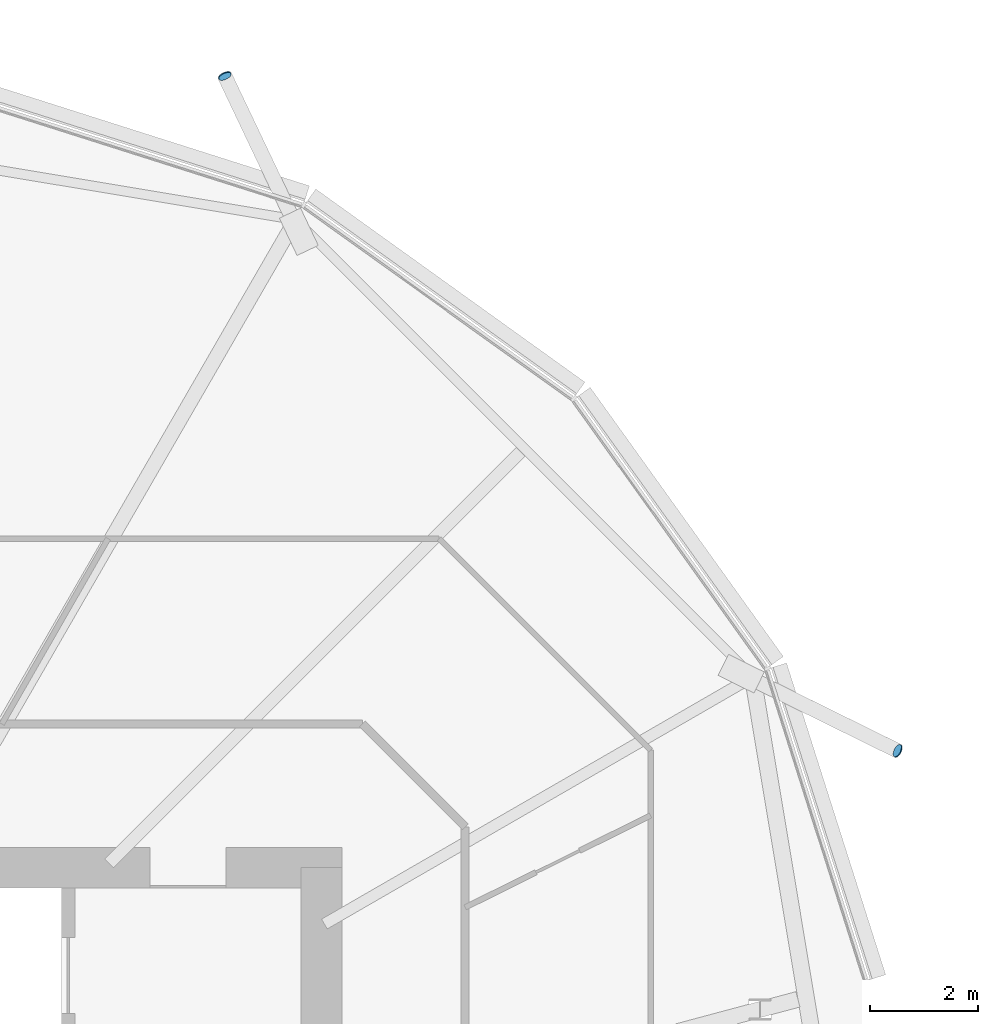
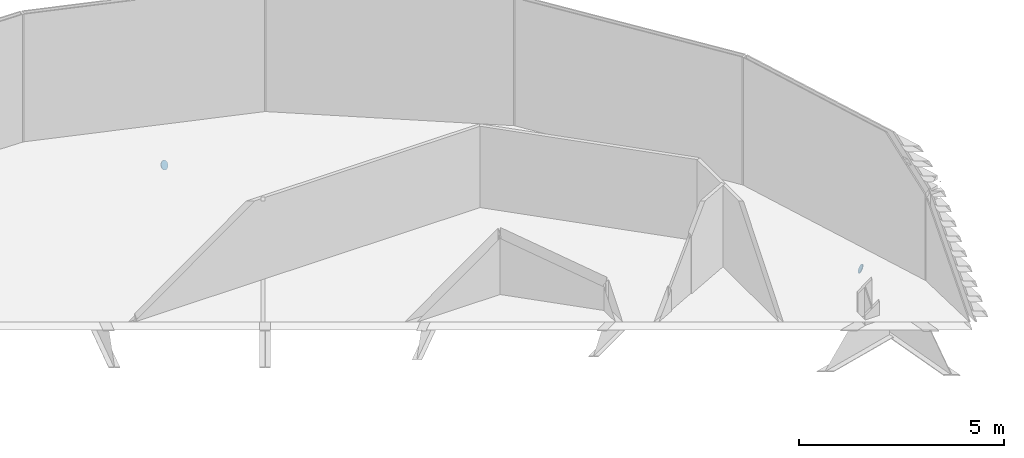
# One storey, part 33 of 39: 2 discrete accessories.
"""IFC4 building model written with IfcOpenShell, lengths in metres."""

from ifc_helpers import new_model, si_unit, direction, frame, origin, origin_2d, place, context, subcontext, project, spatial, circle, extrude, material, material_profile, profile_set, type_object, element, save


model = new_model("IFC4")

# Units and contexts
model_context = context("Model", 3, precision=1e-05, world=origin(), true_north=direction((0.0, 1.0)))
body_context = subcontext(model_context, "Body", "Model", "MODEL_VIEW")
ifc_project = project(units=[si_unit("LENGTHUNIT", "METRE"), si_unit("AREAUNIT", "SQUARE_METRE"), si_unit("VOLUMEUNIT", "CUBIC_METRE"), si_unit("PLANEANGLEUNIT", "RADIAN"), si_unit("MASSUNIT", "GRAM", prefix="KILO")], contexts=[model_context])

# Site, building, storey
site_placement = place(None, origin())
site = spatial("IfcSite", under=ifc_project, at=site_placement, CompositionType="ELEMENT")
building_placement = place(site_placement, origin())
building = spatial("IfcBuilding", under=site, at=building_placement, Name="Rimbun Link Towers", CompositionType="ELEMENT")
storey_placement = place(building_placement, frame((0.0, 0.0, 100.60009765625)))
storey = spatial("IfcBuildingStorey", under=building, at=storey_placement, Name="L24", CompositionType="ELEMENT", Elevation=100.60009765625)

# Discrete accessories
ifc_material = material(Name="Steel S355J2H", Category="steel")
ifc_material_profile = material_profile(ifc_material, circle(Radius=0.1240234375, at=origin_2d()), Name="PL D248")
ifc_profile_set = profile_set([ifc_material_profile], Name="Steel S355J2H")
discrete_accessory_type = type_object("IfcDiscreteAccessoryType", Name="Link foot sealing plate D248X20", PredefinedType="BRACKET", material=ifc_profile_set)
for number, where, z_axis, x_axis, name in (
    (1, (41.96875, 22.59716796875, -2.561767578125), (-0.379121581812, 0.807162077407, -0.452499952486), (-0.905129261834, -0.425136471467, 0.0), "Link foot sealing plate T2 L24 01"),
    (2, (54.37158203125, 10.15771484375, -2.439453125), (0.789985322303, -0.38891585098, -0.473991193382), (0.441684025128, 0.897170676041, 0.0), "Link foot sealing plate T2 L24 23"),
):
    element("IfcDiscreteAccessory", number, at=place(storey_placement, frame(where, z_axis=z_axis, x_axis=x_axis)), inside=storey, type_object=discrete_accessory_type, Name=name, PredefinedType="BRACKET", context=body_context, shape_type="SweptSolid", body=[
        extrude(circle(Radius=0.1240234375, at=origin_2d()), origin(), (0.0, 0.0, 1.0), 0.02001953125),
    ])

save(model, "model.ifc")
